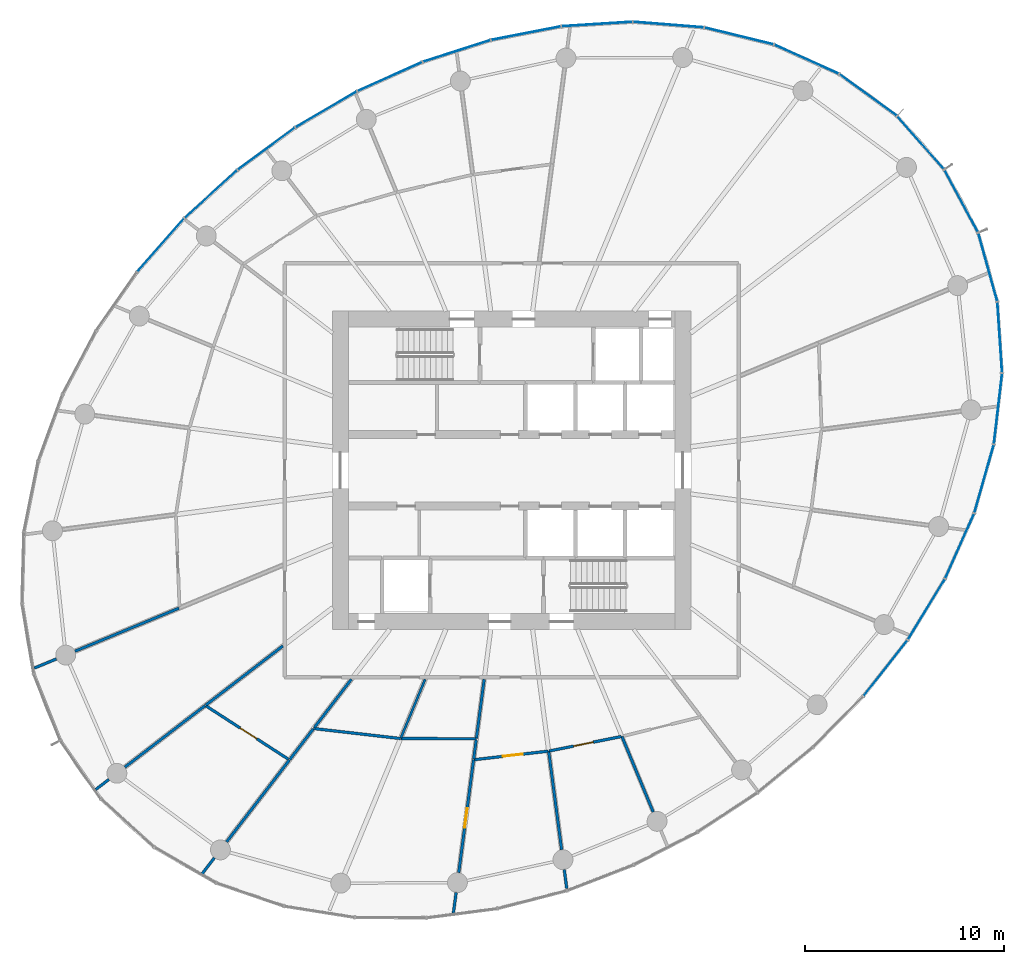
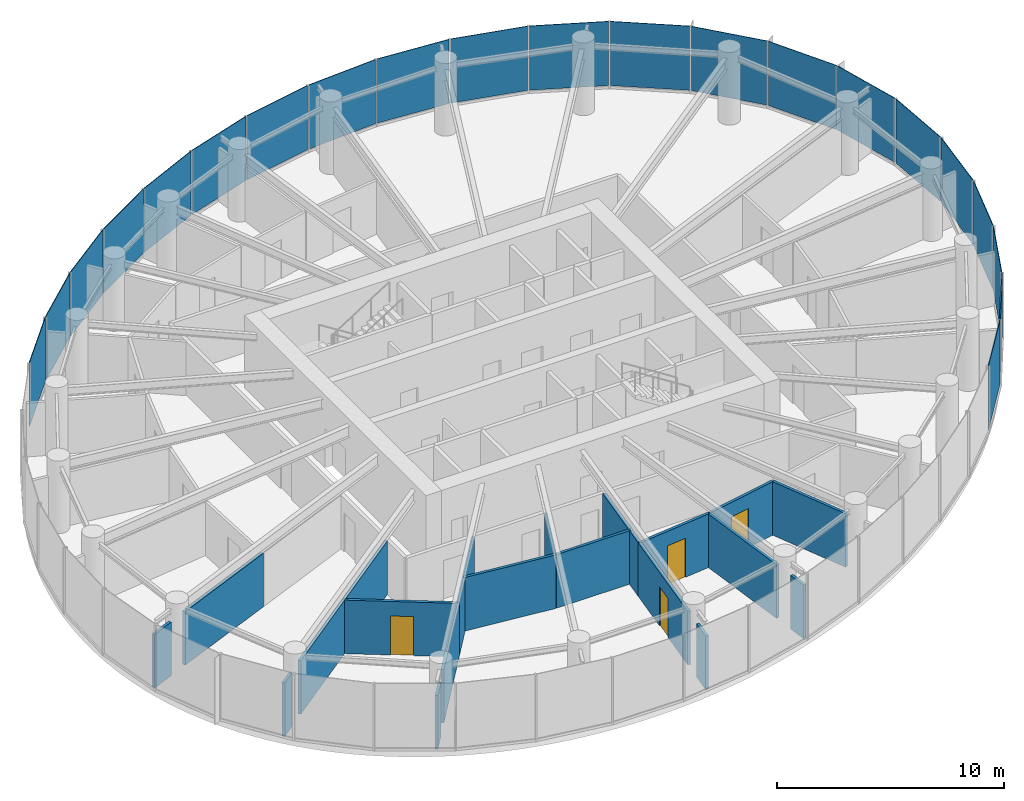
# One storey, part 8 of 14: 22 walls, 21 plates, 4 doors, 4 openings, 5 elements without a shape of their own.
"""IFC4 building model written with IfcOpenShell, lengths in metres."""

import ifcopenshell
import ifcopenshell.guid

model = None  # the IFC model being written
_history = None  # IfcOwnerHistory: only IFC2X3 demands one
_inside = {}  # id of a spatial element -> (the spatial element, [elements in it])
_under = {}  # id of a project, library or spatial element -> (it, [spatial elements below it])
_declared = {}  # id of a project -> (the project, [libraries it declares])
_typed = {}  # id of a type object -> (the type object, [elements of that type])
_made_of = {}  # id of a material, layer set ... -> (it, [elements and type objects made of it])


def new_model(schema):
    """Start an empty IFC model of exactly this schema.

    Asked for "IFC4X3", IfcOpenShell would pick the latest addendum, in which some entities
    have other attributes; the version numbers below select the first issue.
    IFC2X3 requires an IfcOwnerHistory on every rooted entity: one is made here for all.
    """
    global model, _history
    if schema == "IFC4X3":
        model = ifcopenshell.file(schema_version=(4, 3, 0, 0))
    else:
        model = ifcopenshell.file(schema=schema)
    _inside.clear()
    _under.clear()
    _declared.clear()
    _typed.clear()
    _made_of.clear()
    _history = None
    if model.schema == "IFC2X3":
        org = make("IfcOrganization", Name="unknown")
        user = make(
            "IfcPersonAndOrganization",
            ThePerson=make("IfcPerson", FamilyName="unknown"),
            TheOrganization=org,
        )
        app = make(
            "IfcApplication",
            ApplicationDeveloper=org,
            Version="unknown",
            ApplicationFullName="unknown",
            ApplicationIdentifier="unknown",
        )
        _history = make(
            "IfcOwnerHistory",
            OwningUser=user,
            OwningApplication=app,
            ChangeAction="ADDED",
            CreationDate=0,
        )
    return model


def make(cls, **values):
    """One entity of the class cls with the attributes given. An attribute that is None is left unset."""
    return model.create_entity(
        cls, **{name: value for name, value in values.items() if value is not None}
    )


def rooted(cls, **values):
    """An entity with a GlobalId (a new one), such as an element, a storey or a relation."""
    return make(cls, GlobalId=ifcopenshell.guid.new(), OwnerHistory=_history, **values)


def si_unit(unit_type, name, prefix=None):
    """IfcSIUnit, for example si_unit("LENGTHUNIT", "METRE", prefix="MILLI")."""
    return make("IfcSIUnit", UnitType=unit_type, Prefix=prefix, Name=name)


def assignment(units):
    """IfcUnitAssignment: the units of a project."""
    return None if units is None else make("IfcUnitAssignment", Units=units)


def point(xyz):
    """IfcCartesianPoint."""
    return None if xyz is None else make("IfcCartesianPoint", Coordinates=xyz)


def direction(xyz):
    """IfcDirection."""
    return None if xyz is None else make("IfcDirection", DirectionRatios=xyz)


def frame(location, z_axis=None, x_axis=None):
    """IfcAxis2Placement3D, a coordinate frame: its origin and axes. An axis left out is left unset."""
    return make(
        "IfcAxis2Placement3D",
        Location=point(location),
        Axis=direction(z_axis),
        RefDirection=direction(x_axis),
    )


def frame_2d(location, x_axis=None):
    """IfcAxis2Placement2D, a coordinate frame in the plane: its origin and x axis."""
    return make(
        "IfcAxis2Placement2D", Location=point(location), RefDirection=direction(x_axis)
    )


def origin():
    """The frame at (0, 0, 0) with its axes left unset."""
    return frame((0.0, 0.0, 0.0))


def origin_2d():
    """The frame at (0, 0) in the plane with its x axis left unset."""
    return frame_2d((0.0, 0.0))


def place(relative_to, where):
    """IfcLocalPlacement: puts the frame where relative to a parent placement (None: the world)."""
    return make(
        "IfcLocalPlacement", PlacementRelTo=relative_to, RelativePlacement=where
    )


def context(
    kind, dimensions, precision=None, world=None, true_north=None, identifier=None
):
    """IfcGeometricRepresentationContext, for example the 3D "Model" context."""
    return make(
        "IfcGeometricRepresentationContext",
        ContextIdentifier=identifier,
        ContextType=kind,
        CoordinateSpaceDimension=dimensions,
        Precision=precision,
        WorldCoordinateSystem=world,
        TrueNorth=true_north,
    )


def subcontext(parent, identifier, kind, view, scale=None):
    """IfcGeometricRepresentationSubContext, for example "Body" below "Model"."""
    return make(
        "IfcGeometricRepresentationSubContext",
        ContextIdentifier=identifier,
        ContextType=kind,
        ParentContext=parent,
        TargetScale=scale,
        TargetView=view,
    )


def project(units=None, contexts=None):
    """IfcProject with its units and contexts."""
    return rooted(
        "IfcProject",
        Name="project",
        RepresentationContexts=contexts,
        UnitsInContext=assignment(units),
    )


def spatial(cls, under=None, at=None, **own):
    """A site, building, storey or space (cls), placed at a placement, below another one or the project."""
    s = rooted(cls, ObjectPlacement=at, **own)
    if under is not None:
        _under.setdefault(under.id(), (under, []))[1].append(s)
    return s


def profile(cls, at=None, kind="AREA", **sizes):
    """A parametric profile (cls). Its sizes go by their IFC names, for example OverallWidth=200.0."""
    return make(cls, ProfileType=kind, Position=at, **sizes)


def rectangle(**sizes):
    """IfcRectangleProfileDef."""
    return profile("IfcRectangleProfileDef", **sizes)


def extrude(swept, where, along, depth):
    """IfcExtrudedAreaSolid: the profile swept, set in the frame where, extruded along a direction by depth."""
    return make(
        "IfcExtrudedAreaSolid",
        SweptArea=swept,
        Position=where,
        ExtrudedDirection=direction(along),
        Depth=depth,
    )


def shape(context_of_items, identifier, shape_type, items):
    """IfcShapeRepresentation: the items that make up one representation, for example the "Body"."""
    return make(
        "IfcShapeRepresentation",
        ContextOfItems=context_of_items,
        RepresentationIdentifier=identifier,
        RepresentationType=shape_type,
        Items=items,
    )


def source(mapping_origin, context_of_items, identifier, shape_type, items):
    """IfcRepresentationMap: a shape defined once, which mapped items show again and again."""
    return make(
        "IfcRepresentationMap",
        MappingOrigin=mapping_origin,
        MappedRepresentation=shape(context_of_items, identifier, shape_type, items),
    )


def transform(
    local_origin,
    x_axis=None,
    y_axis=None,
    z_axis=None,
    scale=None,
    scale2=None,
    scale3=None,
    uniform=True,
):
    """IfcCartesianTransformationOperator3D, or its non-uniform kind. x_axis, y_axis, z_axis: its Axis1, 2, 3."""
    if uniform:
        return make(
            "IfcCartesianTransformationOperator3D",
            Axis1=direction(x_axis),
            Axis2=direction(y_axis),
            LocalOrigin=point(local_origin),
            Scale=scale,
            Axis3=direction(z_axis),
        )
    return make(
        "IfcCartesianTransformationOperator3DnonUniform",
        Axis1=direction(x_axis),
        Axis2=direction(y_axis),
        LocalOrigin=point(local_origin),
        Scale=scale,
        Axis3=direction(z_axis),
        Scale2=scale2,
        Scale3=scale3,
    )


def mapped(mapping_source, mapping_target):
    """IfcMappedItem: shows the shape of a source again, moved by a transform."""
    return make(
        "IfcMappedItem", MappingSource=mapping_source, MappingTarget=mapping_target
    )


def material(Name=None, Category=None):
    """IfcMaterial."""
    return make("IfcMaterial", Name=Name, Category=Category)


def layer(
    of_material, thickness, ventilated=None, Name=None, Category=None, Priority=None
):
    """IfcMaterialLayer: one layer of a wall or slab, of a material (None: an air gap)."""
    return make(
        "IfcMaterialLayer",
        Material=of_material,
        LayerThickness=thickness,
        IsVentilated=ventilated,
        Name=Name,
        Category=Category,
        Priority=Priority,
    )


def layer_set(layers, Name=None):
    """IfcMaterialLayerSet."""
    return make("IfcMaterialLayerSet", MaterialLayers=layers, LayerSetName=Name)


def made_of(thing, what):
    """Note that an element or type object is made of a material, layer set ...; save() writes the relation."""
    if what is not None:
        _made_of.setdefault(what.id(), (what, []))[1].append(thing)
    return thing


def type_object(cls, material=None, **own):
    """A type object (cls), such as IfcWallType, which elements share."""
    return made_of(rooted(cls, **own), material)


def element(
    cls,
    number,
    at=None,
    inside=None,
    cuts=None,
    type_object=None,
    material=None,
    context=None,
    identifier="Body",
    shape_type=None,
    held_by="IfcProductDefinitionShape",
    body=None,
    shapes=None,
    **own,
):
    """One element of the class cls, such as IfcWall. Its Tag is "e" and its number.

    at: its placement. inside: the storey or other place that contains it. cuts: it is an
    opening in that element (IfcRelVoidsElement). A single representation is given by context,
    identifier, shape_type and body (its items); several are given by shapes. held_by: the class
    of the entity that holds the representations. save() writes the other relations.
    """
    e = rooted(cls, Tag="e%d" % number, ObjectPlacement=at, **own)
    if body is not None:
        shapes = [shape(context, identifier, shape_type, body)]
    if shapes is not None:
        e.Representation = make(held_by, Representations=shapes)
    if inside is not None:
        _inside.setdefault(inside.id(), (inside, []))[1].append(e)
    if cuts is not None:
        rooted(
            "IfcRelVoidsElement", RelatingBuildingElement=cuts, RelatedOpeningElement=e
        )
    if type_object is not None:
        _typed.setdefault(type_object.id(), (type_object, []))[1].append(e)
    return made_of(e, material)


def fill(opening, filler):
    """IfcRelFillsElement: the door or window that sits in an opening."""
    return rooted(
        "IfcRelFillsElement",
        RelatingOpeningElement=opening,
        RelatedBuildingElement=filler,
    )


def aggregate(whole, parts):
    """IfcRelAggregates: a whole, such as a stair, and the parts it consists of."""
    return rooted("IfcRelAggregates", RelatingObject=whole, RelatedObjects=parts)


def save(model, path):
    """Write the relations noted so far, then the file.

    IfcRelAggregates (storeys below a building ...), IfcRelContainedInSpatialStructure (elements
    in a storey), IfcRelDefinesByType, IfcRelAssociatesMaterial and IfcRelDeclares: one each for
    every whole, place, type object, material and project.
    """
    for whole, parts in _under.values():
        aggregate(whole, parts)
    for where, things in _inside.values():
        rooted(
            "IfcRelContainedInSpatialStructure",
            RelatedElements=things,
            RelatingStructure=where,
        )
    for kind, things in _typed.values():
        rooted("IfcRelDefinesByType", RelatedObjects=things, RelatingType=kind)
    for what, things in _made_of.values():
        rooted("IfcRelAssociatesMaterial", RelatedObjects=things, RelatingMaterial=what)
    for by, libraries in _declared.values():
        rooted("IfcRelDeclares", RelatingContext=by, RelatedDefinitions=libraries)
    model.write(path)


model = new_model("IFC4")

# Units and contexts
model_context = context("Model", 3, precision=1e-05, world=origin(), true_north=direction((0.0, 1.0)))
body_context = subcontext(model_context, "Body", "Model", "MODEL_VIEW")
ifc_project = project(units=[si_unit("LENGTHUNIT", "METRE"), si_unit("AREAUNIT", "SQUARE_METRE"), si_unit("VOLUMEUNIT", "CUBIC_METRE"), si_unit("PLANEANGLEUNIT", "RADIAN"), si_unit("MASSUNIT", "GRAM", prefix="KILO")], contexts=[model_context])

# Site, building, storey
site_placement = place(None, origin())
site = spatial("IfcSite", under=ifc_project, at=site_placement, CompositionType="ELEMENT")
building_placement = place(site_placement, origin())
building = spatial("IfcBuilding", under=site, at=building_placement, Name="Spindrift Exchange Tower", CompositionType="ELEMENT")
storey_placement = place(building_placement, frame((0.0, 0.0, 152.60009765625)))
storey = spatial("IfcBuildingStorey", under=building, at=storey_placement, Name="L36", CompositionType="ELEMENT", Elevation=152.60009765625)

# Curtain wall, plates
ifc_material_1 = material(Name="Fritted laminated glass with bronze frame", Category="glass")
ifc_layer_1 = layer(ifc_material_1, 0.179931640625)
ifc_layer_set_1 = layer_set([ifc_layer_1], Name="ZONE 3 BRONZE FRITTED WALL")
curtain_wall_type = type_object("IfcCurtainWallType", Name="ZONE 3 BRONZE FRITTED WALL", PredefinedType="NOTDEFINED", material=ifc_layer_set_1)
curtain_wall_1_placement = place(storey_placement, origin())
curtain_wall_1 = element("IfcCurtainWall", 1, at=curtain_wall_1_placement, inside=storey, type_object=curtain_wall_type, Name="L36 Zone 3 Bronze Fritted Wall run 2", PredefinedType="NOTDEFINED")
ifc_material_2 = material(Name="Bronze fritted laminated glass, open frit", Category="glass")
ifc_layer_2 = layer(ifc_material_2, 0.031982421875)
ifc_layer_set_2 = layer_set([ifc_layer_2], Name="ZONE 3 BRONZE FRITTED WALL PANEL OPEN FRIT 600")
plate_type_1 = type_object("IfcPlateType", Name="ZONE 3 BRONZE FRITTED WALL PANEL OPEN FRIT 600", PredefinedType="CURTAIN_PANEL", material=ifc_layer_set_2)
shared_shape_1 = source(origin(), body_context, "Body", "SweptSolid", [
    extrude(rectangle(XDim=3.53076171875, YDim=0.031982421875, at=origin_2d()), origin(), (0.0, 0.0, 1.0), 3.449951171875),
])
plate_1_placement = place(storey_placement, frame((45.88330078125, 67.772216796875, 0.1298828125), z_axis=(0.0, 0.0, 1.0), x_axis=(-0.912397501866, -0.409305263328, 0.0)))
plate_1 = element("IfcPlate", 2, at=plate_1_placement, type_object=plate_type_1, Name="L36 panel CW-3.9", PredefinedType="CURTAIN_PANEL", context=body_context, shape_type="MappedRepresentation", body=[
    mapped(shared_shape_1, transform((0.0, 0.0, 0.0), scale=1.0)),
])
ifc_layer_3 = layer(ifc_material_2, 0.031982421875)
ifc_layer_set_3 = layer_set([ifc_layer_3], Name="ZONE 3 BRONZE FRITTED WALL PANEL OPEN FRIT 360")
plate_type_2 = type_object("IfcPlateType", Name="ZONE 3 BRONZE FRITTED WALL PANEL OPEN FRIT 360", PredefinedType="CURTAIN_PANEL", material=ifc_layer_set_3)
shared_shape_2 = source(origin(), body_context, "Body", "SweptSolid", [
    extrude(rectangle(XDim=3.53076171875, YDim=0.031982421875, at=origin_2d()), origin(), (0.0, 0.0, 1.0), 3.449951171875),
])
plate_2_placement = place(storey_placement, frame((36.89794921875, 61.875244140625, 0.1298828125), z_axis=(0.0, 0.0, 1.0), x_axis=(-0.739077595143, -0.673620299841, 0.0)))
plate_2 = element("IfcPlate", 3, at=plate_2_placement, type_object=plate_type_2, Name="L36 panel CW-3.12", PredefinedType="CURTAIN_PANEL", context=body_context, shape_type="MappedRepresentation", body=[
    mapped(shared_shape_2, transform((0.0, 0.0, 0.0), scale=1.0)),
])
shared_shape_3 = source(origin(), body_context, "Body", "SweptSolid", [
    extrude(rectangle(XDim=3.530517578125, YDim=0.031982421875, at=origin_2d()), origin(), (0.0, 0.0, 1.0), 3.449951171875),
])
plate_3_placement = place(storey_placement, frame((49.239990234375, 69.059326171875, 0.1298828125), z_axis=(0.0, 0.0, 1.0), x_axis=(-0.952164599996, -0.305585625503, 0.0)))
plate_3 = element("IfcPlate", 4, at=plate_3_placement, type_object=plate_type_1, Name="L36 panel CW-3.8", PredefinedType="CURTAIN_PANEL", context=body_context, shape_type="MappedRepresentation", body=[
    mapped(shared_shape_3, transform((0.0, 0.0, 0.0), scale=1.0)),
])

# Curtain wall, plate
curtain_wall_2_placement = place(storey_placement, origin())
curtain_wall_2 = element("IfcCurtainWall", 5, at=curtain_wall_2_placement, inside=storey, type_object=curtain_wall_type, Name="L36 Zone 3 Bronze Fritted Wall run 6", PredefinedType="NOTDEFINED")
ifc_layer_4 = layer(ifc_material_2, 0.031982421875)
ifc_layer_set_4 = layer_set([ifc_layer_4], Name="ZONE 3 BRONZE FRITTED WALL PANEL OPEN FRIT 480")
plate_type_3 = type_object("IfcPlateType", Name="ZONE 3 BRONZE FRITTED WALL PANEL OPEN FRIT 480", PredefinedType="CURTAIN_PANEL", material=ifc_layer_set_4)
shared_shape_4 = source(origin(), body_context, "Body", "SweptSolid", [
    extrude(rectangle(XDim=3.530517578125, YDim=0.031982421875, at=origin_2d()), origin(), (0.0, 0.0, 1.0), 3.449951171875),
])
plate_4_placement = place(storey_placement, frame((70.774658203125, 38.069091796875, 0.1298828125), z_axis=(0.0, 0.0, 1.0), x_axis=(0.61845639947, 0.78581911529, 0.0)))
plate_4 = element("IfcPlate", 6, at=plate_4_placement, type_object=plate_type_3, Name="L36 panel CW-3.34", PredefinedType="CURTAIN_PANEL", context=body_context, shape_type="MappedRepresentation", body=[
    mapped(shared_shape_4, transform((0.0, 0.0, 0.0), scale=1.0)),
])

# Plate
shared_shape_5 = source(origin(), body_context, "Body", "SweptSolid", [
    extrude(rectangle(XDim=3.531005859375, YDim=0.031982421875, at=origin_2d()), origin(), (0.0, 0.0, 1.0), 3.449951171875),
])
plate_5_placement = place(storey_placement, frame((42.685791015625, 66.12744140625, 0.1298828125), z_axis=(0.0, 0.0, 1.0), x_axis=(-0.863565451016, -0.504236761661, 0.0)))
plate_5 = element("IfcPlate", 7, at=plate_5_placement, type_object=plate_type_3, Name="L36 panel CW-3.10", PredefinedType="CURTAIN_PANEL", context=body_context, shape_type="MappedRepresentation", body=[
    mapped(shared_shape_5, transform((0.0, 0.0, 0.0), scale=1.0)),
])

plate_6_placement = place(storey_placement, frame((39.6796875, 64.15380859375, 0.1298828125), z_axis=(0.0, 0.0, 1.0), x_axis=(-0.805965477943, -0.591962539663, 0.0)))
plate_6 = element("IfcPlate", 8, at=plate_6_placement, type_object=plate_type_3, Name="L36 panel CW-3.11", PredefinedType="CURTAIN_PANEL", context=body_context, shape_type="MappedRepresentation", body=[
    mapped(shared_shape_5, transform((0.0, 0.0, 0.0), scale=1.0)),
])

# Curtain wall, plate
curtain_wall_3_placement = place(storey_placement, origin())
curtain_wall_3 = element("IfcCurtainWall", 9, at=curtain_wall_3_placement, inside=storey, type_object=curtain_wall_type, Name="L36 Zone 3 Bronze Fritted Wall run 3", PredefinedType="NOTDEFINED")
shared_shape_6 = source(origin(), body_context, "Body", "SweptSolid", [
    extrude(rectangle(XDim=3.53076171875, YDim=0.031982421875, at=origin_2d()), origin(), (0.0, 0.0, 1.0), 3.449951171875),
])
plate_7_placement = place(storey_placement, frame((34.376220703125, 59.312744140625, 0.1298828125), z_axis=(0.0, 0.0, 1.0), x_axis=(-0.661686211487, -0.749780873008, 0.0)))
plate_7 = element("IfcPlate", 10, at=plate_7_placement, type_object=plate_type_3, Name="L36 panel CW-3.13", PredefinedType="CURTAIN_PANEL", context=body_context, shape_type="MappedRepresentation", body=[
    mapped(shared_shape_6, transform((0.0, 0.0, 0.0), scale=1.0)),
])
aggregate(curtain_wall_3, [plate_7])

curtain_wall_4_placement = place(storey_placement, origin())
curtain_wall_4 = element("IfcCurtainWall", 11, at=curtain_wall_4_placement, inside=storey, type_object=curtain_wall_type, Name="L36 Zone 3 Bronze Fritted Wall run 1", PredefinedType="NOTDEFINED")
shared_shape_7 = source(origin(), body_context, "Body", "SweptSolid", [
    extrude(rectangle(XDim=3.529052734375, YDim=0.031982421875, at=origin_2d()), origin(), (0.0, 0.0, 1.0), 3.449951171875),
])
plate_8_placement = place(storey_placement, frame((59.874755859375, 70.3828125, 0.1298828125), z_axis=(0.0, 0.0, 1.0), x_axis=(-0.99685097737, 0.079297723277, 0.0)))
plate_8 = element("IfcPlate", 12, at=plate_8_placement, type_object=plate_type_2, Name="L36 panel CW-3.5", PredefinedType="CURTAIN_PANEL", context=body_context, shape_type="MappedRepresentation", body=[
    mapped(shared_shape_7, transform((0.0, 0.0, 0.0), scale=1.0)),
])

# Plate
shared_shape_8 = source(origin(), body_context, "Body", "SweptSolid", [
    extrude(rectangle(XDim=3.52978515625, YDim=0.031982421875, at=origin_2d()), origin(), (0.0, 0.0, 1.0), 3.449951171875),
])
plate_9_placement = place(storey_placement, frame((74.49853515625, 44.19970703125, 0.1298828125), z_axis=(0.0, 0.0, 1.0), x_axis=(0.407490673381, 0.913209368714, 0.0)))
plate_9 = element("IfcPlate", 13, at=plate_9_placement, type_object=plate_type_2, Name="L36 panel CW-3.36", PredefinedType="CURTAIN_PANEL", context=body_context, shape_type="MappedRepresentation", body=[
    mapped(shared_shape_8, transform((0.0, 0.0, 0.0), scale=1.0)),
])

shared_shape_9 = source(origin(), body_context, "Body", "SweptSolid", [
    extrude(rectangle(XDim=3.5302734375, YDim=0.031982421875, at=origin_2d()), origin(), (0.0, 0.0, 1.0), 3.449951171875),
])
plate_10_placement = place(storey_placement, frame((72.82666015625, 41.019775390625, 0.1298828125), z_axis=(0.0, 0.0, 1.0), x_axis=(0.521344780273, 0.853346131462, 0.0)))
plate_10 = element("IfcPlate", 14, at=plate_10_placement, type_object=plate_type_2, Name="L36 panel CW-3.35", PredefinedType="CURTAIN_PANEL", context=body_context, shape_type="MappedRepresentation", body=[
    mapped(shared_shape_9, transform((0.0, 0.0, 0.0), scale=1.0)),
])

aggregate(curtain_wall_2, [plate_4, plate_10, plate_9])

# Curtain wall, plate
curtain_wall_5_placement = place(storey_placement, origin())
curtain_wall_5 = element("IfcCurtainWall", 15, at=curtain_wall_5_placement, inside=storey, type_object=curtain_wall_type, Name="L36 Zone 3 Bronze Fritted Wall run 7", PredefinedType="NOTDEFINED")
shared_shape_10 = source(origin(), body_context, "Body", "SweptSolid", [
    extrude(rectangle(XDim=3.529052734375, YDim=0.031982421875, at=origin_2d()), origin(), (0.0, 0.0, 1.0), 3.449951171875),
])
plate_11_placement = place(storey_placement, frame((75.723876953125, 47.574462890625, 0.1298828125), z_axis=(0.0, 0.0, 1.0), x_axis=(0.273314592, 0.96192470277, 0.0)))
plate_11 = element("IfcPlate", 16, at=plate_11_placement, type_object=plate_type_3, Name="L36 panel CW-3.37", PredefinedType="CURTAIN_PANEL", context=body_context, shape_type="MappedRepresentation", body=[
    mapped(shared_shape_10, transform((0.0, 0.0, 0.0), scale=1.0)),
])

# Plate
shared_shape_11 = source(origin(), body_context, "Body", "SweptSolid", [
    extrude(rectangle(XDim=3.528076171875, YDim=0.031982421875, at=origin_2d()), origin(), (0.0, 0.0, 1.0), 3.449951171875),
])
plate_12_placement = place(storey_placement, frame((63.416015625, 69.81201171875, 0.1298828125), z_axis=(0.0, 0.0, 1.0), x_axis=(-0.971255303602, 0.238040196656, 0.0)))
plate_12 = element("IfcPlate", 17, at=plate_12_placement, type_object=plate_type_3, Name="L36 panel CW-3.4", PredefinedType="CURTAIN_PANEL", context=body_context, shape_type="MappedRepresentation", body=[
    mapped(shared_shape_11, transform((0.0, 0.0, 0.0), scale=1.0)),
])

shared_shape_12 = source(origin(), body_context, "Body", "SweptSolid", [
    extrude(rectangle(XDim=3.524658203125, YDim=0.031982421875, at=origin_2d()), origin(), (0.0, 0.0, 1.0), 3.449951171875),
])
plate_13_placement = place(storey_placement, frame((72.542724609375, 64.44921875, 0.1298828125), z_axis=(0.0, 0.0, 1.0), x_axis=(-0.660662258976, 0.750683275133, 0.0)))
plate_13 = element("IfcPlate", 18, at=plate_13_placement, type_object=plate_type_3, Name="L36 panel CW-3.1", PredefinedType="CURTAIN_PANEL", context=body_context, shape_type="MappedRepresentation", body=[
    mapped(shared_shape_12, transform((0.0, 0.0, 0.0), scale=1.0)),
])

shared_shape_13 = source(origin(), body_context, "Body", "SweptSolid", [
    extrude(rectangle(XDim=3.528076171875, YDim=0.031982421875, at=origin_2d()), origin(), (0.0, 0.0, 1.0), 3.449951171875),
])
plate_14_placement = place(storey_placement, frame((76.423583984375, 51.092529296875, 0.1298828125), z_axis=(0.0, 0.0, 1.0), x_axis=(0.115642762791, 0.993290869491, 0.0)))
plate_14 = element("IfcPlate", 19, at=plate_14_placement, type_object=plate_type_1, Name="L36 panel CW-3.38", PredefinedType="CURTAIN_PANEL", context=body_context, shape_type="MappedRepresentation", body=[
    mapped(shared_shape_13, transform((0.0, 0.0, 0.0), scale=1.0)),
])

shared_shape_14 = source(origin(), body_context, "Body", "SweptSolid", [
    extrude(rectangle(XDim=3.52978515625, YDim=0.031982421875, at=origin_2d()), origin(), (0.0, 0.0, 1.0), 3.449951171875),
])
plate_15_placement = place(storey_placement, frame((56.284423828125, 70.411376953125, 0.1298828125), z_axis=(0.0, 0.0, 1.0), x_axis=(-0.997985196904, -0.063447196626, 0.0)))
plate_15 = element("IfcPlate", 20, at=plate_15_placement, type_object=plate_type_3, Name="L36 panel CW-3.6", PredefinedType="CURTAIN_PANEL", context=body_context, shape_type="MappedRepresentation", body=[
    mapped(shared_shape_14, transform((0.0, 0.0, 0.0), scale=1.0)),
])

shared_shape_15 = source(origin(), body_context, "Body", "SweptSolid", [
    extrude(rectangle(XDim=3.525634765625, YDim=0.031982421875, at=origin_2d()), origin(), (0.0, 0.0, 1.0), 3.449951171875),
])
plate_16_placement = place(storey_placement, frame((75.912109375, 58.20068359375, 0.1298828125), z_axis=(0.0, 0.0, 1.0), x_axis=(-0.267551186541, 0.963543648508, 0.0)))
plate_16 = element("IfcPlate", 21, at=plate_16_placement, type_object=plate_type_3, Name="L36 panel CW-3.40", PredefinedType="CURTAIN_PANEL", context=body_context, shape_type="MappedRepresentation", body=[
    mapped(shared_shape_15, transform((0.0, 0.0, 0.0), scale=1.0)),
])

shared_shape_16 = source(origin(), body_context, "Body", "SweptSolid", [
    extrude(rectangle(XDim=3.5302734375, YDim=0.031982421875, at=origin_2d()), origin(), (0.0, 0.0, 1.0), 3.449951171875),
])
plate_17_placement = place(storey_placement, frame((52.72119140625, 69.953369140625, 0.1298828125), z_axis=(0.0, 0.0, 1.0), x_axis=(-0.981587532358, -0.191012869514, 0.0)))
plate_17 = element("IfcPlate", 22, at=plate_17_placement, type_object=plate_type_1, Name="L36 panel CW-3.7", PredefinedType="CURTAIN_PANEL", context=body_context, shape_type="MappedRepresentation", body=[
    mapped(shared_shape_16, transform((0.0, 0.0, 0.0), scale=1.0)),
])

aggregate(curtain_wall_1, [plate_17, plate_3, plate_1, plate_5, plate_6, plate_2])

shared_shape_17 = source(origin(), body_context, "Body", "SweptSolid", [
    extrude(rectangle(XDim=3.525634765625, YDim=0.031982421875, at=origin_2d()), origin(), (0.0, 0.0, 1.0), 3.449951171875),
])
plate_18_placement = place(storey_placement, frame((69.8994140625, 66.853515625, 0.1298828125), z_axis=(0.0, 0.0, 1.0), x_axis=(-0.809757036341, 0.586765321143, 0.0)))
plate_18 = element("IfcPlate", 23, at=plate_18_placement, type_object=plate_type_1, Name="L36 panel CW-3.2", PredefinedType="CURTAIN_PANEL", context=body_context, shape_type="MappedRepresentation", body=[
    mapped(shared_shape_17, transform((0.0, 0.0, 0.0), scale=1.0)),
])

shared_shape_18 = source(origin(), body_context, "Body", "SweptSolid", [
    extrude(rectangle(XDim=3.52685546875, YDim=0.031982421875, at=origin_2d()), origin(), (0.0, 0.0, 1.0), 3.449951171875),
])
plate_19_placement = place(storey_placement, frame((66.803466796875, 68.64599609375, 0.1298828125), z_axis=(0.0, 0.0, 1.0), x_axis=(-0.9120027449, 0.410184096832, 0.0)))
plate_19 = element("IfcPlate", 24, at=plate_19_placement, type_object=plate_type_1, Name="L36 panel CW-3.3", PredefinedType="CURTAIN_PANEL", context=body_context, shape_type="MappedRepresentation", body=[
    mapped(shared_shape_18, transform((0.0, 0.0, 0.0), scale=1.0)),
])

aggregate(curtain_wall_4, [plate_13, plate_18, plate_19, plate_12, plate_8, plate_15])

plate_20_placement = place(storey_placement, frame((76.512451171875, 54.674072265625, 0.1298828125), z_axis=(0.0, 0.0, 1.0), x_axis=(-0.066390579917, 0.997793711595, 0.0)))
plate_20 = element("IfcPlate", 25, at=plate_20_placement, type_object=plate_type_1, Name="L36 panel CW-3.39", PredefinedType="CURTAIN_PANEL", context=body_context, shape_type="MappedRepresentation", body=[
    mapped(shared_shape_18, transform((0.0, 0.0, 0.0), scale=1.0)),
])

shared_shape_19 = source(origin(), body_context, "Body", "SweptSolid", [
    extrude(rectangle(XDim=3.52490234375, YDim=0.031982421875, at=origin_2d()), origin(), (0.0, 0.0, 1.0), 3.449951171875),
])
plate_21_placement = place(storey_placement, frame((74.58056640625, 61.5166015625, 0.1298828125), z_axis=(0.0, 0.0, 1.0), x_axis=(-0.473127475376, 0.880993979574, 0.0)))
plate_21 = element("IfcPlate", 26, at=plate_21_placement, type_object=plate_type_1, Name="L36 panel CW-3.41", PredefinedType="CURTAIN_PANEL", context=body_context, shape_type="MappedRepresentation", body=[
    mapped(shared_shape_19, transform((0.0, 0.0, 0.0), scale=1.0)),
])

aggregate(curtain_wall_5, [plate_11, plate_14, plate_20, plate_16, plate_21])

# Wall, opening, door
ifc_material_3 = material(Name="Fire-rated plasterboard partition", Category="gypsum")
ifc_layer_5 = layer(ifc_material_3, 0.139892578125)
ifc_layer_set_5 = layer_set([ifc_layer_5], Name="W-PART-140")
wall_type_1 = type_object("IfcWallType", Name="W-PART-140", PredefinedType="PARTITIONING", material=ifc_layer_set_5)
wall_1_placement = place(storey_placement, frame((49.33984375, 27.794921875, 0.0), z_axis=(0.0, 0.0, 1.0), x_axis=(0.13055608231, 0.99144092581, 0.0)))
wall_1 = element("IfcWall", 27, at=wall_1_placement, inside=storey, type_object=wall_type_1, Name="L36 Partition wall 35", PredefinedType="PARTITIONING", context=body_context, shape_type="SweptSolid", body=[
    extrude(rectangle(XDim=5.720458984375, YDim=0.139892578125, at=frame_2d((2.8603515625, 0.0))), origin(), (0.0, 0.0, 1.0), 2.8798828125),
])
opening_1_placement = place(wall_1_placement, frame((2.2705078125, 0.0, 0.0)))
opening_1 = element("IfcOpeningElement", 28, at=opening_1_placement, cuts=wall_1, Name="Opening L36-D25", PredefinedType="OPENING", context=body_context, shape_type="SweptSolid", body=[
    extrude(rectangle(XDim=1.0, YDim=2.10009765625, at=frame_2d((0.5, 1.050048828125))), frame((0.0, 0.079833984375, 0.0), z_axis=(0.0, -1.0, 0.0), x_axis=(1.0, 0.0, 0.0)), (0.0, 0.0, 1.0), 0.159912109375),
])
ifc_material_4 = material(Name="Timber-core fire door", Category="wood")
door_type = type_object("IfcDoorType", Name="DR-ROOM-1000", OperationType="NOTDEFINED", PredefinedType="DOOR", material=ifc_material_4)
shared_shape_20 = source(origin(), body_context, "Body", "SweptSolid", [
    extrude(rectangle(XDim=1.0, YDim=2.10009765625, at=frame_2d((0.5, 1.050048828125))), frame((0.0, 0.02490234375, 0.0), z_axis=(0.0, -1.0, 0.0), x_axis=(1.0, 0.0, 0.0)), (0.0, 0.0, 1.0), 0.050048828125),
])
door_1_placement = place(opening_1_placement, origin())
door_1 = element("IfcDoor", 29, at=door_1_placement, inside=storey, type_object=door_type, Name="L36 Door 25", OperationType="SINGLE_SWING_LEFT", OverallHeight=2.10009765625, OverallWidth=1.0, PredefinedType="DOOR", context=body_context, shape_type="MappedRepresentation", body=[
    mapped(shared_shape_20, transform((0.0, 0.0, 0.0), scale=1.0)),
])
fill(opening_1, door_1)

# Walls
wall_2_placement = place(storey_placement, frame((35.292724609375, 41.07958984375, 0.0), z_axis=(0.0, 0.0, 1.0), x_axis=(-0.923883666289, -0.38267345239, 0.0)))
element("IfcWall", 30, at=wall_2_placement, inside=storey, type_object=wall_type_1, Name="L36 Partition wall 37", PredefinedType="PARTITIONING", context=body_context, shape_type="SweptSolid", body=[
    extrude(rectangle(XDim=5.6533203125, YDim=0.139892578125, at=frame_2d((2.82666015625, 0.0))), origin(), (0.0, 0.0, 1.0), 2.8798828125),
])
wall_3_placement = place(storey_placement, frame((40.840576171875, 33.456787109375, 0.0), z_axis=(0.0, 0.0, 1.0), x_axis=(-0.608780216018, -0.793338924159, 0.0)))
element("IfcWall", 31, at=wall_3_placement, inside=storey, type_object=wall_type_1, Name="L36 Partition wall 38", PredefinedType="PARTITIONING", context=body_context, shape_type="SweptSolid", body=[
    extrude(rectangle(XDim=5.188232421875, YDim=0.139892578125, at=frame_2d((2.59423828125, 0.0))), origin(), (0.0, 0.0, 1.0), 2.8798828125),
])
wall_4_placement = place(storey_placement, frame((36.6142578125, 36.194091796875, 0.0), z_axis=(0.0, 0.0, 1.0), x_axis=(-0.79337017358, -0.608739490811, 0.0)))
element("IfcWall", 32, at=wall_4_placement, inside=storey, type_object=wall_type_1, Name="L36 Partition wall 39", PredefinedType="PARTITIONING", context=body_context, shape_type="SweptSolid", body=[
    extrude(rectangle(XDim=5.09228515625, YDim=0.139892578125, at=frame_2d((2.546142578125, 0.0))), origin(), (0.0, 0.0, 1.0), 2.8798828125),
])

# Wall, opening, door
wall_5_placement = place(storey_placement, frame((40.78173828125, 33.4951171875, 0.0), z_axis=(0.0, 0.0, 1.0), x_axis=(-0.839336490457, 0.543612229247, 0.0)))
wall_5 = element("IfcWall", 33, at=wall_5_placement, inside=storey, type_object=wall_type_1, Name="L36 Partition wall 40", PredefinedType="PARTITIONING", context=body_context, shape_type="SweptSolid", body=[
    extrude(rectangle(XDim=4.935302734375, YDim=0.139892578125, at=frame_2d((2.4677734375, 0.0))), origin(), (0.0, 0.0, 1.0), 2.8798828125),
])
opening_2_placement = place(wall_5_placement, frame((1.885009765625, 0.0, 0.0)))
opening_2 = element("IfcOpeningElement", 34, at=opening_2_placement, cuts=wall_5, Name="Opening L36-D44", PredefinedType="OPENING", context=body_context, shape_type="SweptSolid", body=[
    extrude(rectangle(XDim=1.0, YDim=2.10009765625, at=frame_2d((0.5, 1.050048828125))), frame((0.0, 0.079833984375, 0.0), z_axis=(0.0, -1.0, 0.0), x_axis=(1.0, 0.0, 0.0)), (0.0, 0.0, 1.0), 0.159912109375),
])
door_2_placement = place(opening_2_placement, origin())
door_2 = element("IfcDoor", 35, at=door_2_placement, inside=storey, type_object=door_type, Name="L36 Door 44", OperationType="SINGLE_SWING_RIGHT", OverallHeight=2.10009765625, OverallWidth=1.0, PredefinedType="DOOR", context=body_context, shape_type="MappedRepresentation", body=[
    mapped(shared_shape_20, transform((0.0, 0.0, 0.0), scale=1.0)),
])
fill(opening_2, door_2)

# Walls
wall_6_placement = place(storey_placement, frame((40.510009765625, 39.183349609375, 0.0), z_axis=(0.0, 0.0, 1.0), x_axis=(-0.793354275357, -0.608760210405, 0.0)))
element("IfcWall", 36, at=wall_6_placement, inside=storey, type_object=wall_type_1, Name="L36 Partition wall 41", PredefinedType="PARTITIONING", context=body_context, shape_type="SweptSolid", body=[
    extrude(rectangle(XDim=4.88037109375, YDim=0.139892578125, at=frame_2d((2.440185546875, 0.0))), origin(), (0.0, 0.0, 1.0), 2.8798828125),
])
wall_7_placement = place(storey_placement, frame((53.856201171875, 33.900390625, 0.0), z_axis=(0.0, 0.0, 1.0), x_axis=(0.130517737487, -0.991445974424, 0.0)))
element("IfcWall", 37, at=wall_7_placement, inside=storey, type_object=wall_type_1, Name="L36 Partition wall 43", PredefinedType="PARTITIONING", context=body_context, shape_type="SweptSolid", body=[
    extrude(rectangle(XDim=4.994384765625, YDim=0.139892578125, at=frame_2d((2.4970703125, 0.0))), origin(), (0.0, 0.0, 1.0), 2.8798828125),
])
wall_8_placement = place(storey_placement, frame((42.0517578125, 35.03515625, 0.0), z_axis=(0.0, 0.0, 1.0), x_axis=(0.993448498383, -0.114280711669, 0.0)))
element("IfcWall", 38, at=wall_8_placement, inside=storey, type_object=wall_type_1, Name="L36 Partition wall 51", PredefinedType="PARTITIONING", context=body_context, shape_type="SweptSolid", body=[
    extrude(rectangle(XDim=4.398681640625, YDim=0.139892578125, at=frame_2d((2.19921875, 0.0))), origin(), (0.0, 0.0, 1.0), 2.8798828125),
])
wall_9_placement = place(storey_placement, frame((57.5341796875, 34.639404296875, 0.0), z_axis=(0.0, 0.0, 1.0), x_axis=(0.382696163026, -0.923874259196, 0.0)))
element("IfcWall", 39, at=wall_9_placement, inside=storey, type_object=wall_type_1, Name="L36 Partition wall 57", PredefinedType="PARTITIONING", context=body_context, shape_type="SweptSolid", body=[
    extrude(rectangle(XDim=4.111572265625, YDim=0.139892578125, at=frame_2d((2.0556640625, 0.0))), origin(), (0.0, 0.0, 1.0), 2.8798828125),
])
wall_10_placement = place(storey_placement, frame((46.45166015625, 34.532470703125, 0.0), z_axis=(0.0, 0.0, 1.0), x_axis=(0.999995948964, -0.002846411033, 0.0)))
element("IfcWall", 40, at=wall_10_placement, inside=storey, type_object=wall_type_1, Name="L36 Partition wall 63", PredefinedType="PARTITIONING", context=body_context, shape_type="SweptSolid", body=[
    extrude(rectangle(XDim=3.77392578125, YDim=0.139892578125, at=frame_2d((1.886962890625, 0.0))), origin(), (0.0, 0.0, 1.0), 2.8798828125),
])

# Wall, opening, door
wall_11_placement = place(storey_placement, frame((53.826416015625, 33.89697265625, 0.0), z_axis=(0.0, 0.0, 1.0), x_axis=(-0.993434107381, -0.114405744138, 0.0)))
wall_11 = element("IfcWall", 41, at=wall_11_placement, inside=storey, type_object=wall_type_1, Name="L36 Partition wall 64", PredefinedType="PARTITIONING", context=body_context, shape_type="SweptSolid", body=[
    extrude(rectangle(XDim=3.734375, YDim=0.139892578125, at=frame_2d((1.8671875, 0.0))), origin(), (0.0, 0.0, 1.0), 2.8798828125),
])
opening_3_placement = place(wall_11_placement, frame((1.28466796875, 0.0, 0.0)))
opening_3 = element("IfcOpeningElement", 42, at=opening_3_placement, cuts=wall_11, Name="Opening L36-D22", PredefinedType="OPENING", context=body_context, shape_type="SweptSolid", body=[
    extrude(rectangle(XDim=1.0, YDim=2.10009765625, at=frame_2d((0.5, 1.050048828125))), frame((0.0, 0.079833984375, 0.0), z_axis=(0.0, -1.0, 0.0), x_axis=(1.0, 0.0, 0.0)), (0.0, 0.0, 1.0), 0.159912109375),
])
door_3_placement = place(opening_3_placement, origin())
door_3 = element("IfcDoor", 43, at=door_3_placement, inside=storey, type_object=door_type, Name="L36 Door 22", OperationType="SINGLE_SWING_RIGHT", OverallHeight=2.10009765625, OverallWidth=1.0, PredefinedType="DOOR", context=body_context, shape_type="MappedRepresentation", body=[
    mapped(shared_shape_20, transform((0.0, 0.0, 0.0), scale=1.0)),
])
fill(opening_3, door_3)

wall_12_placement = place(storey_placement, frame((57.504638671875, 34.633544921875, 0.0), z_axis=(0.0, 0.0, 1.0), x_axis=(-0.980399657824, -0.197019062376, 0.0)))
wall_12 = element("IfcWall", 44, at=wall_12_placement, inside=storey, type_object=wall_type_1, Name="L36 Partition wall 65", PredefinedType="PARTITIONING", context=body_context, shape_type="SweptSolid", body=[
    extrude(rectangle(XDim=3.69140625, YDim=0.139892578125, at=frame_2d((1.845703125, 0.0))), origin(), (0.0, 0.0, 1.0), 2.8798828125),
])
opening_4_placement = place(wall_12_placement, frame((1.44140625, 0.0, 0.0)))
opening_4 = element("IfcOpeningElement", 45, at=opening_4_placement, cuts=wall_12, Name="Opening L36-D23", PredefinedType="OPENING", context=body_context, shape_type="SweptSolid", body=[
    extrude(rectangle(XDim=1.0, YDim=2.10009765625, at=frame_2d((0.5, 1.050048828125))), frame((0.0, 0.079833984375, 0.0), z_axis=(0.0, -1.0, 0.0), x_axis=(1.0, 0.0, 0.0)), (0.0, 0.0, 1.0), 0.159912109375),
])
door_4_placement = place(opening_4_placement, origin())
door_4 = element("IfcDoor", 46, at=door_4_placement, inside=storey, type_object=door_type, Name="L36 Door 23", OperationType="SINGLE_SWING_LEFT", OverallHeight=2.10009765625, OverallWidth=1.0, PredefinedType="DOOR", context=body_context, shape_type="MappedRepresentation", body=[
    mapped(shared_shape_20, transform((0.0, 0.0, 0.0), scale=1.0)),
])
fill(opening_4, door_4)

# Walls
wall_13_placement = place(storey_placement, frame((43.95068359375, 37.510009765625, 0.0), z_axis=(0.0, 0.0, 1.0), x_axis=(-0.608758797461, -0.793355359542, 0.0)))
element("IfcWall", 47, at=wall_13_placement, inside=storey, type_object=wall_type_1, Name="L36 Partition wall 68", PredefinedType="PARTITIONING", context=body_context, shape_type="SweptSolid", body=[
    extrude(rectangle(XDim=3.037841796875, YDim=0.139892578125, at=frame_2d((1.51904296875, 0.0))), origin(), (0.0, 0.0, 1.0), 2.8798828125),
])
wall_14_placement = place(storey_placement, frame((50.618896484375, 37.510009765625, 0.0), z_axis=(0.0, 0.0, 1.0), x_axis=(-0.13049684078, -0.991448725122, 0.0)))
element("IfcWall", 48, at=wall_14_placement, inside=storey, type_object=wall_type_1, Name="L36 Partition wall 69", PredefinedType="PARTITIONING", context=body_context, shape_type="SweptSolid", body=[
    extrude(rectangle(XDim=2.984130859375, YDim=0.139892578125, at=frame_2d((1.4921875, 0.0))), origin(), (0.0, 0.0, 1.0), 2.8798828125),
])
wall_15_placement = place(storey_placement, frame((42.033447265625, 35.011474609375, 0.0), z_axis=(0.0, 0.0, 1.0), x_axis=(-0.608750262105, -0.793361908833, 0.0)))
element("IfcWall", 49, at=wall_15_placement, inside=storey, type_object=wall_type_1, Name="L36 Partition wall 77", PredefinedType="PARTITIONING", context=body_context, shape_type="SweptSolid", body=[
    extrude(rectangle(XDim=1.929443359375, YDim=0.139892578125, at=frame_2d((0.96484375, 0.0))), origin(), (0.0, 0.0, 1.0), 2.8798828125),
])
wall_16_placement = place(storey_placement, frame((29.13671875, 38.52978515625, 0.0), z_axis=(0.0, 0.0, 1.0), x_axis=(-0.923882723383, -0.382675728829, 0.0)))
element("IfcWall", 50, at=wall_16_placement, inside=storey, type_object=wall_type_1, Name="L36 Partition wall 79", PredefinedType="PARTITIONING", context=body_context, shape_type="SweptSolid", body=[
    extrude(rectangle(XDim=1.1982421875, YDim=0.139892578125, at=frame_2d((0.59912109375, 0.0))), origin(), (0.0, 0.0, 1.0), 2.8798828125),
])
wall_17_placement = place(storey_placement, frame((50.21630859375, 34.45166015625, 0.0), z_axis=(0.0, 0.0, 1.0), x_axis=(-0.130454512571, -0.991454295543, 0.0)))
element("IfcWall", 51, at=wall_17_placement, inside=storey, type_object=wall_type_1, Name="L36 Partition wall 81", PredefinedType="PARTITIONING", context=body_context, shape_type="SweptSolid", body=[
    extrude(rectangle(XDim=0.9638671875, YDim=0.139892578125, at=frame_2d((0.48193359375, 0.0))), origin(), (0.0, 0.0, 1.0), 2.8798828125),
])
wall_18_placement = place(storey_placement, frame((49.208251953125, 26.794677734375, 0.0), z_axis=(0.0, 0.0, 1.0), x_axis=(-0.130569518357, -0.991439156417, 0.0)))
element("IfcWall", 52, at=wall_18_placement, inside=storey, type_object=wall_type_1, Name="L36 Partition wall 82", PredefinedType="PARTITIONING", context=body_context, shape_type="SweptSolid", body=[
    extrude(rectangle(XDim=1.04345703125, YDim=0.139892578125, at=frame_2d((0.521728515625, 0.0))), origin(), (0.0, 0.0, 1.0), 2.8798828125),
])
wall_19_placement = place(storey_placement, frame((37.068115234375, 28.540283203125, 0.0), z_axis=(0.0, 0.0, 1.0), x_axis=(-0.608815264587, -0.793312027897, 0.0)))
element("IfcWall", 53, at=wall_19_placement, inside=storey, type_object=wall_type_1, Name="L36 Partition wall 84", PredefinedType="PARTITIONING", context=body_context, shape_type="SweptSolid", body=[
    extrude(rectangle(XDim=1.014892578125, YDim=0.139892578125, at=frame_2d((0.50732421875, 0.0))), origin(), (0.0, 0.0, 1.0), 2.8798828125),
])
wall_20_placement = place(storey_placement, frame((54.639892578125, 27.948486328125, 0.0), z_axis=(0.0, 0.0, 1.0), x_axis=(0.130434626054, -0.991456911987, 0.0)))
element("IfcWall", 54, at=wall_20_placement, inside=storey, type_object=wall_type_1, Name="L36 Partition wall 85", PredefinedType="PARTITIONING", context=body_context, shape_type="SweptSolid", body=[
    extrude(rectangle(XDim=0.95263671875, YDim=0.139892578125, at=frame_2d((0.476318359375, 0.0))), origin(), (0.0, 0.0, 1.0), 2.8798828125),
])
wall_21_placement = place(storey_placement, frame((31.77392578125, 32.47998046875, 0.0), z_axis=(0.0, 0.0, 1.0), x_axis=(-0.793296212725, -0.608835871871, 0.0)))
element("IfcWall", 55, at=wall_21_placement, inside=storey, type_object=wall_type_1, Name="L36 Partition wall 93", PredefinedType="PARTITIONING", context=body_context, shape_type="SweptSolid", body=[
    extrude(rectangle(XDim=0.83642578125, YDim=0.139892578125, at=frame_2d((0.418212890625, 0.0))), origin(), (0.0, 0.0, 1.0), 2.8798828125),
])
ifc_layer_6 = layer(ifc_material_3, 0.1201171875)
ifc_layer_set_6 = layer_set([ifc_layer_6], Name="W-WET-120")
wall_type_2 = type_object("IfcWallType", Name="W-WET-120", PredefinedType="PARTITIONING", material=ifc_layer_set_6)
wall_22_placement = place(storey_placement, frame((47.65478515625, 37.510009765625, 0.0), z_axis=(0.0, 0.0, 1.0), x_axis=(-0.382648952505, -0.923893813783, 0.0)))
element("IfcWall", 56, at=wall_22_placement, inside=storey, type_object=wall_type_2, Name="L36 Partition wall 99", PredefinedType="PARTITIONING", context=body_context, shape_type="SweptSolid", body=[
    extrude(rectangle(XDim=3.192626953125, YDim=0.1201171875, at=frame_2d((1.59619140625, 0.0))), origin(), (0.0, 0.0, 1.0), 2.8798828125),
])

save(model, "model.ifc")
